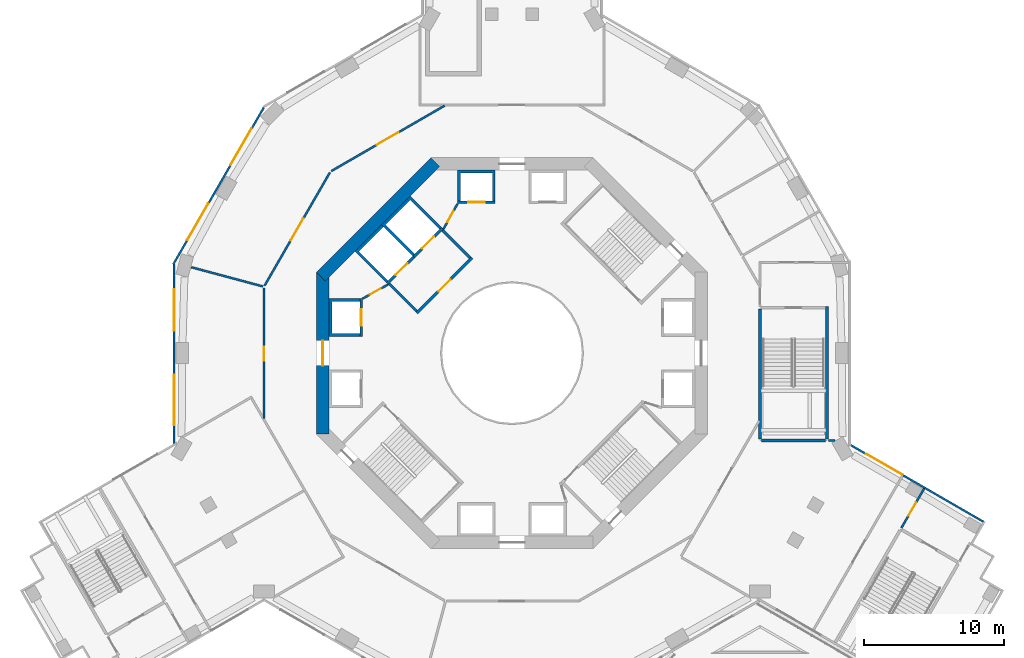
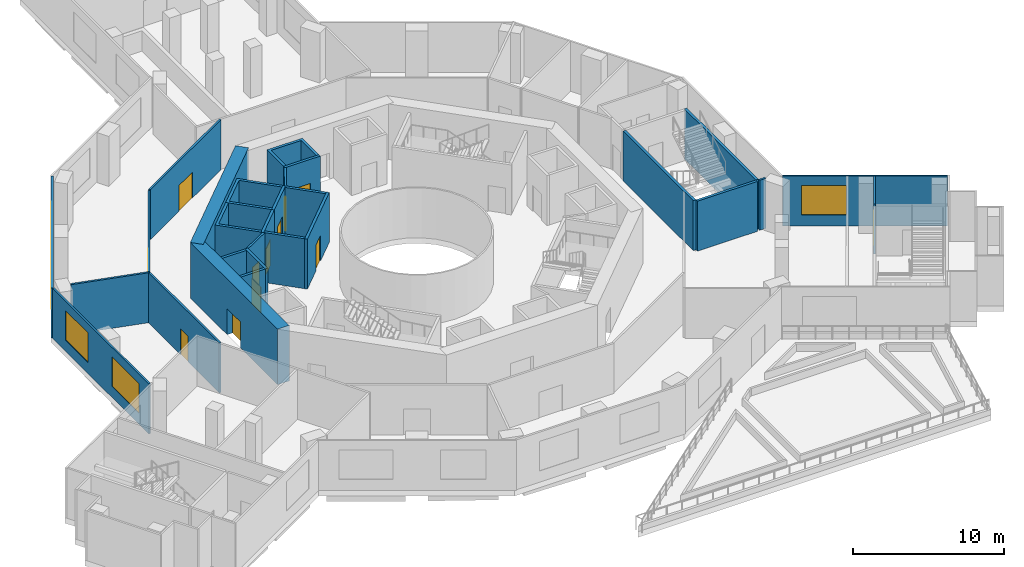
# One storey, part 5 of 21: 27 walls, 12 doors, 5 windows, 17 openings.
"""IFC4 building model written with IfcOpenShell, lengths in metres."""

from ifc_helpers import new_model, si_unit, direction, frame, frame_2d, origin, place, context, subcontext, project, spatial, polyline, rectangle, outline, extrude, material, layer, layer_set, type_object, element, fill, save


model = new_model("IFC4")

# Units and contexts
model_context = context("Model", 3, precision=1e-05, world=origin(), true_north=direction((0.0, 1.0)))
body_context = subcontext(model_context, "Body", "Model", "MODEL_VIEW")
ifc_project = project(units=[si_unit("LENGTHUNIT", "METRE"), si_unit("AREAUNIT", "SQUARE_METRE"), si_unit("VOLUMEUNIT", "CUBIC_METRE"), si_unit("PLANEANGLEUNIT", "RADIAN"), si_unit("MASSUNIT", "GRAM", prefix="KILO")], contexts=[model_context])

# Site, building, storey
site_placement = place(None, origin())
site = spatial("IfcSite", under=ifc_project, at=site_placement, CompositionType="ELEMENT")
building_placement = place(site_placement, origin())
building = spatial("IfcBuilding", under=site, at=building_placement, Name="Verdalira Terraces Hotel", CompositionType="ELEMENT")
storey_placement = place(building_placement, frame((0.0, 0.0, 19.0)))
storey = spatial("IfcBuildingStorey", under=building, at=storey_placement, Name="L03", CompositionType="ELEMENT", Elevation=19.0)

# Wall
ifc_material_1 = material(Name="Concrete C50", Category="concrete")
ifc_layer_1 = layer(ifc_material_1, 0.199951171875)
ifc_layer_set_1 = layer_set([ifc_layer_1], Name="Core RC wall 200 C50")
wall_type_1 = type_object("IfcWallType", Name="Core RC wall 200 C50", PredefinedType="SOLIDWALL", material=ifc_layer_set_1)
wall_1_placement = place(storey_placement, origin())
element("IfcWall", 1, at=wall_1_placement, inside=storey, type_object=wall_type_1, Name="L03 shaft wall N2", PredefinedType="SOLIDWALL", context=body_context, shape_type="SweptSolid", body=[
    extrude(outline(polyline([(-3.899902, 10.899902), (-3.899902, 13.100098), (-1.199951, 13.100098), (-1.199951, 10.899902), (-1.399902, 10.899902), (-1.399902, 12.899902), (-3.699951, 12.899902), (-3.699951, 10.899902), (-3.899902, 10.899902)])), origin(), (0.0, 0.0, 1.0), 4.050049),
])

# Wall, opening, door
wall_2_placement = place(storey_placement, frame((-1.199951, 10.800049, 0.0), z_axis=(0.0, 0.0, 1.0), x_axis=(-1.0, 0.0, 0.0)))
wall_2 = element("IfcWall", 2, at=wall_2_placement, inside=storey, type_object=wall_type_1, Name="L03 shaft front wall N2", PredefinedType="SOLIDWALL", context=body_context, shape_type="SweptSolid", body=[
    extrude(rectangle(XDim=2.699951, YDim=0.199951, at=frame_2d((1.350098, 0.0))), origin(), (0.0, 0.0, 1.0), 4.050049),
])
opening_1_placement = place(wall_2_placement, frame((0.75, 0.0, 0.0)))
opening_1 = element("IfcOpeningElement", 3, at=opening_1_placement, cuts=wall_2, Name="Opening LD-L03-804", PredefinedType="OPENING", context=body_context, shape_type="SweptSolid", body=[
    extrude(rectangle(XDim=1.199951, YDim=2.100098, at=frame_2d((0.600098, 1.050049))), frame((0.0, 0.109863, 0.0), z_axis=(0.0, -1.0, 0.0), x_axis=(1.0, 0.0, 0.0)), (0.0, 0.0, 1.0), 0.219971),
])
ifc_material_2 = material(Name="Stainless steel", Category="steel")
door_type_1 = type_object("IfcDoorType", Name="Landing door 1200 x 2100", OperationType="NOTDEFINED", PredefinedType="DOOR", material=ifc_material_2)
door_1_placement = place(opening_1_placement, origin())
door_1 = element("IfcDoor", 4, at=door_1_placement, inside=storey, type_object=door_type_1, Name="Lift landing door LR4 L03", OperationType="DOUBLE_DOOR_SLIDING", OverallHeight=2.10009765625, OverallWidth=1.199951171875, PredefinedType="DOOR", context=body_context, shape_type="SweptSolid", body=[
    extrude(rectangle(XDim=1.199951, YDim=2.100098, at=frame_2d((0.600098, 1.050049))), frame((0.0, 0.024902, 0.0), z_axis=(0.0, -1.0, 0.0), x_axis=(1.0, 0.0, 0.0)), (0.0, 0.0, 1.0), 0.050049),
])
fill(opening_1, door_1)

# Wall
wall_3_placement = place(storey_placement, origin())
element("IfcWall", 5, at=wall_3_placement, inside=storey, type_object=wall_type_1, Name="L03 shaft wall W1", PredefinedType="SOLIDWALL", context=body_context, shape_type="SweptSolid", body=[
    extrude(outline(polyline([(-13.100098, 3.899902), (-10.899902, 3.899902), (-10.899902, 3.699951), (-12.899902, 3.699951), (-12.899902, 1.399902), (-10.899902, 1.399902), (-10.899902, 1.199951), (-13.100098, 1.199951), (-13.100098, 3.899902)])), origin(), (0.0, 0.0, 1.0), 4.050049),
])

# Wall, opening, door
wall_4_placement = place(storey_placement, frame((-10.800049, 1.199951, 0.0), z_axis=(0.0, 0.0, 1.0), x_axis=(0.0, 1.0, 0.0)))
wall_4 = element("IfcWall", 6, at=wall_4_placement, inside=storey, type_object=wall_type_1, Name="L03 shaft front wall W1", PredefinedType="SOLIDWALL", context=body_context, shape_type="SweptSolid", body=[
    extrude(rectangle(XDim=2.699951, YDim=0.199951, at=frame_2d((1.350098, 0.0))), origin(), (0.0, 0.0, 1.0), 4.050049),
])
opening_2_placement = place(wall_4_placement, frame((0.75, 0.0, 0.0)))
opening_2 = element("IfcOpeningElement", 7, at=opening_2_placement, cuts=wall_4, Name="Opening LD-L03-805", PredefinedType="OPENING", context=body_context, shape_type="SweptSolid", body=[
    extrude(rectangle(XDim=1.199951, YDim=2.100098, at=frame_2d((0.600098, 1.050049))), frame((0.0, 0.109863, 0.0), z_axis=(0.0, -1.0, 0.0), x_axis=(1.0, 0.0, 0.0)), (0.0, 0.0, 1.0), 0.219971),
])
door_2_placement = place(opening_2_placement, origin())
door_2 = element("IfcDoor", 8, at=door_2_placement, inside=storey, type_object=door_type_1, Name="Lift landing door LR5 L03", OperationType="DOUBLE_DOOR_SLIDING", OverallHeight=2.10009765625, OverallWidth=1.199951171875, PredefinedType="DOOR", context=body_context, shape_type="SweptSolid", body=[
    extrude(rectangle(XDim=1.199951, YDim=2.100098, at=frame_2d((0.600098, 1.050049))), frame((0.0, 0.024902, 0.0), z_axis=(0.0, -1.0, 0.0), x_axis=(1.0, 0.0, 0.0)), (0.0, 0.0, 1.0), 0.050049),
])
fill(opening_2, door_2)

# Wall
wall_5_placement = place(storey_placement, origin())
element("IfcWall", 9, at=wall_5_placement, inside=storey, type_object=wall_type_1, Name="L03 shaft wall F1", PredefinedType="SOLIDWALL", context=body_context, shape_type="SweptSolid", body=[
    extrude(outline(polyline([(-9.33374, 9.192383), (-7.283203, 11.24292), (-5.055908, 9.015625), (-5.197266, 8.874268), (-7.283203, 10.960205), (-9.051025, 9.192383), (-6.965088, 7.106445), (-7.106445, 6.965088), (-9.33374, 9.192383)])), origin(), (0.0, 0.0, 1.0), 4.050049),
])

# Wall, opening, door
wall_6_placement = place(storey_placement, frame((-4.985107, 8.944824, 0.0), z_axis=(0.0, 0.0, 1.0), x_axis=(-0.707106781, -0.707106781, 0.0)))
wall_6 = element("IfcWall", 10, at=wall_6_placement, inside=storey, type_object=wall_type_1, Name="L03 shaft front wall F1", PredefinedType="SOLIDWALL", context=body_context, shape_type="SweptSolid", body=[
    extrude(rectangle(XDim=2.899902, YDim=0.199951, at=frame_2d((1.449951, 0.0))), origin(), (0.0, 0.0, 1.0), 4.050049),
])
opening_3_placement = place(wall_6_placement, frame((0.850098, 0.0, 0.0)))
opening_3 = element("IfcOpeningElement", 11, at=opening_3_placement, cuts=wall_6, Name="Opening LD-L03-807", PredefinedType="OPENING", context=body_context, shape_type="SweptSolid", body=[
    extrude(rectangle(XDim=1.199951, YDim=2.100098, at=frame_2d((0.600098, 1.050049))), frame((0.0, 0.109863, 0.0), z_axis=(0.0, -1.0, 0.0), x_axis=(1.0, 0.0, 0.0)), (0.0, 0.0, 1.0), 0.219971),
])
door_3_placement = place(opening_3_placement, origin())
door_3 = element("IfcDoor", 12, at=door_3_placement, inside=storey, type_object=door_type_1, Name="Lift landing door LF11 L03", OperationType="DOUBLE_DOOR_SLIDING", OverallHeight=2.10009765625, OverallWidth=1.199951171875, PredefinedType="DOOR", context=body_context, shape_type="SweptSolid", body=[
    extrude(rectangle(XDim=1.199951, YDim=2.100098, at=frame_2d((0.600098, 1.050049))), frame((0.0, 0.024902, 0.0), z_axis=(0.0, -1.0, 0.0), x_axis=(1.0, 0.0, 0.0)), (0.0, 0.0, 1.0), 0.050049),
])
fill(opening_3, door_3)

# Wall
wall_7_placement = place(storey_placement, origin())
element("IfcWall", 13, at=wall_7_placement, inside=storey, type_object=wall_type_1, Name="L03 shaft wall F2", PredefinedType="SOLIDWALL", context=body_context, shape_type="SweptSolid", body=[
    extrude(outline(polyline([(-11.24292, 7.283203), (-9.33374, 9.192383), (-9.192383, 9.051025), (-10.960205, 7.283203), (-8.874268, 5.197266), (-9.015625, 5.055908), (-11.24292, 7.283203)])), origin(), (0.0, 0.0, 1.0), 4.050049),
])

# Wall, opening, door
wall_8_placement = place(storey_placement, frame((-7.035645, 6.894287, 0.0), z_axis=(0.0, 0.0, 1.0), x_axis=(-0.707106781, -0.707106781, 0.0)))
wall_8 = element("IfcWall", 14, at=wall_8_placement, inside=storey, type_object=wall_type_1, Name="L03 shaft front wall F2", PredefinedType="SOLIDWALL", context=body_context, shape_type="SweptSolid", body=[
    extrude(rectangle(XDim=2.699951, YDim=0.199951, at=frame_2d((1.350098, 0.0))), origin(), (0.0, 0.0, 1.0), 4.050049),
])
opening_4_placement = place(wall_8_placement, frame((0.649902, 0.0, 0.0)))
opening_4 = element("IfcOpeningElement", 15, at=opening_4_placement, cuts=wall_8, Name="Opening LD-L03-808", PredefinedType="OPENING", context=body_context, shape_type="SweptSolid", body=[
    extrude(rectangle(XDim=1.199951, YDim=2.100098, at=frame_2d((0.600098, 1.050049))), frame((0.0, 0.109863, 0.0), z_axis=(0.0, -1.0, 0.0), x_axis=(1.0, 0.0, 0.0)), (0.0, 0.0, 1.0), 0.219971),
])
door_4_placement = place(opening_4_placement, origin())
door_4 = element("IfcDoor", 16, at=door_4_placement, inside=storey, type_object=door_type_1, Name="Lift landing door LF12 L03", OperationType="DOUBLE_DOOR_SLIDING", OverallHeight=2.10009765625, OverallWidth=1.199951171875, PredefinedType="DOOR", context=body_context, shape_type="SweptSolid", body=[
    extrude(rectangle(XDim=1.199951, YDim=2.100098, at=frame_2d((0.600098, 1.050049))), frame((0.0, 0.024902, 0.0), z_axis=(0.0, -1.0, 0.0), x_axis=(1.0, 0.0, 0.0)), (0.0, 0.0, 1.0), 0.050049),
])
fill(opening_4, door_4)

wall_9_placement = place(storey_placement, frame((-2.86377, 6.823486, 0.0), z_axis=(0.0, 0.0, 1.0), x_axis=(-0.707106781, -0.707106781, 0.0)))
wall_9 = element("IfcWall", 17, at=wall_9_placement, inside=storey, type_object=wall_type_1, Name="L03 fire lobby wall", PredefinedType="SOLIDWALL", context=body_context, shape_type="SweptSolid", body=[
    extrude(rectangle(XDim=5.599854, YDim=0.199951, at=frame_2d((2.799805, 0.0))), origin(), (0.0, 0.0, 1.0), 4.050049),
])
opening_5_placement = place(wall_9_placement, frame((2.199951, 0.0, 0.0)))
opening_5 = element("IfcOpeningElement", 18, at=opening_5_placement, cuts=wall_9, Name="Opening L03-819", PredefinedType="OPENING", context=body_context, shape_type="SweptSolid", body=[
    extrude(rectangle(XDim=1.199951, YDim=2.100098, at=frame_2d((0.600098, 1.050049))), frame((0.0, 0.109863, 0.0), z_axis=(0.0, -1.0, 0.0), x_axis=(1.0, 0.0, 0.0)), (0.0, 0.0, 1.0), 0.219971),
])
ifc_material_3 = material(Name="Steel fire door", Category="steel")
door_type_2 = type_object("IfcDoorType", Name="Lobby door 1200 x 2100", OperationType="NOTDEFINED", PredefinedType="DOOR", material=ifc_material_3)
door_5_placement = place(opening_5_placement, origin())
door_5 = element("IfcDoor", 19, at=door_5_placement, inside=storey, type_object=door_type_2, Name="Fire lobby door L03", OperationType="SINGLE_SWING_LEFT", OverallHeight=2.10009765625, OverallWidth=1.199951171875, PredefinedType="DOOR", context=body_context, shape_type="SweptSolid", body=[
    extrude(rectangle(XDim=1.199951, YDim=2.100098, at=frame_2d((0.600098, 1.050049))), frame((0.0, 0.024902, 0.0), z_axis=(0.0, -1.0, 0.0), x_axis=(1.0, 0.0, 0.0)), (0.0, 0.0, 1.0), 0.050049),
])
fill(opening_5, door_5)

# Walls
for number, where, z_axis, x_axis, name in (
    (20, (-3.005127, 6.823486, 0.0), (0.0, 0.0, 1.0), (-0.707106781, 0.707106781, 0.0), "L03 fire lobby wall"),
    (21, (-6.823486, 3.005127, 0.0), (0.0, 0.0, 1.0), (-0.707106781, 0.707106781, 0.0), "L03 fire lobby wall"),
):
    element("IfcWall", number, at=place(storey_placement, frame(where, z_axis=z_axis, x_axis=x_axis)), inside=storey, type_object=wall_type_1, Name=name, PredefinedType="SOLIDWALL", context=body_context, shape_type="SweptSolid", body=[
        extrude(rectangle(XDim=2.800049, YDim=0.199951, at=frame_2d((1.399902, 0.0))), origin(), (0.0, 0.0, 1.0), 4.050049),
    ])

# Wall, opening, door
ifc_material_4 = material(Name="Gypsum board partition")
ifc_layer_2 = layer(ifc_material_4, 0.14990234375)
ifc_layer_set_2 = layer_set([ifc_layer_2], Name="Core partition 150 mm")
wall_type_2 = type_object("IfcWallType", Name="Core partition 150 mm", PredefinedType="PARTITIONING", material=ifc_layer_set_2)
wall_10_placement = place(storey_placement, frame((-3.899902, 10.699951, 0.0), z_axis=(0.0, 0.0, 1.0), x_axis=(-0.485692555, -0.874129705, 0.0)))
wall_10 = element("IfcWall", 22, at=wall_10_placement, inside=storey, type_object=wall_type_2, Name="Room partition L03", PredefinedType="PARTITIONING", context=body_context, shape_type="SweptSolid", body=[
    extrude(rectangle(XDim=2.088623, YDim=0.149902, at=frame_2d((1.044434, 0.0))), origin(), (0.0, 0.0, 1.0), 4.050049),
])
opening_6_placement = place(wall_10_placement, frame((0.594238, 0.0, 0.0)))
opening_6 = element("IfcOpeningElement", 23, at=opening_6_placement, cuts=wall_10, Name="Opening L03-820", PredefinedType="OPENING", context=body_context, shape_type="SweptSolid", body=[
    extrude(rectangle(XDim=0.899902, YDim=2.100098, at=frame_2d((0.449951, 1.050049))), frame((0.0, 0.084961, 0.0), z_axis=(0.0, -1.0, 0.0), x_axis=(1.0, 0.0, 0.0)), (0.0, 0.0, 1.0), 0.169922),
])
ifc_material_5 = material(Name="Steel fire door", Category="steel")
door_type_3 = type_object("IfcDoorType", Name="Core room door 900 x 2100", OperationType="NOTDEFINED", PredefinedType="DOOR", material=ifc_material_5)
door_6_placement = place(opening_6_placement, origin())
door_6 = element("IfcDoor", 24, at=door_6_placement, inside=storey, type_object=door_type_3, Name="Door L03 room2", OperationType="SINGLE_SWING_LEFT", OverallHeight=2.10009765625, OverallWidth=0.89990234375, PredefinedType="DOOR", context=body_context, shape_type="SweptSolid", body=[
    extrude(rectangle(XDim=0.899902, YDim=2.100098, at=frame_2d((0.449951, 1.050049))), frame((0.0, 0.024902, 0.0), z_axis=(0.0, -1.0, 0.0), x_axis=(1.0, 0.0, 0.0)), (0.0, 0.0, 1.0), 0.050049),
])
fill(opening_6, door_6)

wall_11_placement = place(storey_placement, frame((-8.874268, 4.914307, 0.0), z_axis=(0.0, 0.0, 1.0), x_axis=(-0.874129705, -0.485692555, 0.0)))
wall_11 = element("IfcWall", 25, at=wall_11_placement, inside=storey, type_object=wall_type_2, Name="Room partition L03", PredefinedType="PARTITIONING", context=body_context, shape_type="SweptSolid", body=[
    extrude(rectangle(XDim=2.088623, YDim=0.149902, at=frame_2d((1.044434, 0.0))), origin(), (0.0, 0.0, 1.0), 4.050049),
])
opening_7_placement = place(wall_11_placement, frame((0.594238, 0.0, 0.0)))
opening_7 = element("IfcOpeningElement", 26, at=opening_7_placement, cuts=wall_11, Name="Opening L03-821", PredefinedType="OPENING", context=body_context, shape_type="SweptSolid", body=[
    extrude(rectangle(XDim=0.899902, YDim=2.100098, at=frame_2d((0.449951, 1.050049))), frame((0.0, 0.084961, 0.0), z_axis=(0.0, -1.0, 0.0), x_axis=(1.0, 0.0, 0.0)), (0.0, 0.0, 1.0), 0.169922),
])
door_7_placement = place(opening_7_placement, origin())
door_7 = element("IfcDoor", 27, at=door_7_placement, inside=storey, type_object=door_type_3, Name="Door L03 room3", OperationType="SINGLE_SWING_LEFT", OverallHeight=2.10009765625, OverallWidth=0.89990234375, PredefinedType="DOOR", context=body_context, shape_type="SweptSolid", body=[
    extrude(rectangle(XDim=0.899902, YDim=2.100098, at=frame_2d((0.449951, 1.050049))), frame((0.0, 0.024902, 0.0), z_axis=(0.0, -1.0, 0.0), x_axis=(1.0, 0.0, 0.0)), (0.0, 0.0, 1.0), 0.050049),
])
fill(opening_7, door_7)

# Wall
ifc_material_6 = material(Name="Concrete C70", Category="concrete")
ifc_layer_3 = layer(ifc_material_6, 0.89990234375)
ifc_layer_set_3 = layer_set([ifc_layer_3], Name="Core wall 900 C70")
wall_type_3 = type_object("IfcWallType", Name="Core wall 900 C70", PredefinedType="SHEAR", material=ifc_layer_set_3)
wall_12_placement = place(storey_placement, frame((-5.480713, 13.681885, 0.0), z_axis=(0.0, 0.0, 1.0), x_axis=(-0.707106781, -0.707106781, 0.0)))
element("IfcWall", 28, at=wall_12_placement, inside=storey, type_object=wall_type_3, Name="Core wall CW-L03-4", PredefinedType="SHEAR", context=body_context, shape_type="SweptSolid", body=[
    extrude(rectangle(XDim=11.598145, YDim=0.899902, at=frame_2d((5.799072, 0.0))), origin(), (0.0, 0.0, 1.0), 4.5),
])

# Wall, opening, door
wall_13_placement = place(storey_placement, frame((-13.550049, 5.799072, 0.0), z_axis=(0.0, 0.0, 1.0), x_axis=(0.0, -1.0, 0.0)))
wall_13 = element("IfcWall", 29, at=wall_13_placement, inside=storey, type_object=wall_type_3, Name="Core wall CW-L03-5", PredefinedType="SHEAR", context=body_context, shape_type="SweptSolid", body=[
    extrude(rectangle(XDim=11.598145, YDim=0.899902, at=frame_2d((5.799072, 0.0))), origin(), (0.0, 0.0, 1.0), 4.5),
])
opening_8_placement = place(wall_13_placement, frame((4.898926, 0.0, 0.0)))
opening_8 = element("IfcOpeningElement", 30, at=opening_8_placement, cuts=wall_13, Name="Opening L03-814", PredefinedType="OPENING", context=body_context, shape_type="SweptSolid", body=[
    extrude(rectangle(XDim=1.800049, YDim=2.100098, at=frame_2d((0.899902, 1.050049))), frame((0.0, 0.459961, 0.0), z_axis=(0.0, -1.0, 0.0), x_axis=(1.0, 0.0, 0.0)), (0.0, 0.0, 1.0), 0.919922),
])
ifc_material_7 = material(Name="Steel fire door", Category="steel")
door_type_4 = type_object("IfcDoorType", Name="Core entry door pair 1800 x 2100", OperationType="NOTDEFINED", PredefinedType="DOOR", material=ifc_material_7)
door_8_placement = place(opening_8_placement, origin())
door_8 = element("IfcDoor", 31, at=door_8_placement, inside=storey, type_object=door_type_4, Name="Core entry door L03 4", OperationType="DOUBLE_DOOR_SINGLE_SWING", OverallHeight=2.10009765625, OverallWidth=1.800048828125, PredefinedType="DOOR", context=body_context, shape_type="SweptSolid", body=[
    extrude(rectangle(XDim=1.800049, YDim=2.100098, at=frame_2d((0.899902, 1.050049))), frame((0.0, 0.024902, 0.0), z_axis=(0.0, -1.0, 0.0), x_axis=(1.0, 0.0, 0.0)), (0.0, 0.0, 1.0), 0.050049),
])
fill(opening_8, door_8)

# Wall
ifc_material_8 = material(Name="Gypsum board partition on steel stud", Category="steel")
ifc_layer_4 = layer(ifc_material_8, 0.14990234375)
ifc_layer_set_4 = layer_set([ifc_layer_4], Name="Fire-rated partition 150 mm")
wall_type_4 = type_object("IfcWallType", Name="Fire-rated partition 150 mm", PredefinedType="PARTITIONING", material=ifc_layer_set_4)
wall_14_placement = place(storey_placement, frame((-22.9646, 6.15332, 0.0), z_axis=(0.0, 0.0, 1.0), x_axis=(0.965919345, -0.258843233, 0.0)))
element("IfcWall", 32, at=wall_14_placement, inside=storey, type_object=wall_type_4, Name="Partition", PredefinedType="PARTITIONING", context=body_context, shape_type="SweptSolid", body=[
    extrude(rectangle(XDim=5.314941, YDim=0.149902, at=frame_2d((2.657471, 0.0))), origin(), (0.0, 0.0, 1.0), 4.050049),
])

# Wall, opening, door
wall_15_placement = place(storey_placement, frame((-17.758301, -4.68335, 0.0), z_axis=(0.0, 0.0, 1.0), x_axis=(0.0, 1.0, 0.0)))
wall_15 = element("IfcWall", 33, at=wall_15_placement, inside=storey, type_object=wall_type_4, Name="Partition", PredefinedType="PARTITIONING", context=body_context, shape_type="SweptSolid", body=[
    extrude(rectangle(XDim=9.366699, YDim=0.149902, at=frame_2d((4.68335, 0.0))), origin(), (0.0, 0.0, 1.0), 4.050049),
])
opening_9_placement = place(wall_15_placement, frame((4.149902, 0.0, 0.0)))
opening_9 = element("IfcOpeningElement", 34, at=opening_9_placement, cuts=wall_15, Name="Opening L03-D06", PredefinedType="OPENING", context=body_context, shape_type="SweptSolid", body=[
    extrude(rectangle(XDim=1.0, YDim=2.100098, at=frame_2d((0.5, 1.050049))), frame((0.0, 0.084961, 0.0), z_axis=(0.0, -1.0, 0.0), x_axis=(1.0, 0.0, 0.0)), (0.0, 0.0, 1.0), 0.169922),
])
ifc_material_9 = material(Name="Steel fire door", Category="steel")
door_type_5 = type_object("IfcDoorType", Name="Fire door 1000 x 2100", OperationType="SINGLE_SWING_LEFT", PredefinedType="DOOR", material=ifc_material_9)
door_9_placement = place(opening_9_placement, origin())
door_9 = element("IfcDoor", 35, at=door_9_placement, inside=storey, type_object=door_type_5, Name="Women's spa changing room door", OperationType="SINGLE_SWING_LEFT", OverallHeight=2.10009765625, OverallWidth=1.0, PredefinedType="DOOR", context=body_context, shape_type="SweptSolid", body=[
    extrude(rectangle(XDim=1.0, YDim=2.100098, at=frame_2d((0.5, 1.050049))), frame((0.0, 0.024902, 0.0), z_axis=(0.0, -1.0, 0.0), x_axis=(1.0, 0.0, 0.0)), (0.0, 0.0, 1.0), 0.050049),
])
fill(opening_9, door_9)

wall_16_placement = place(storey_placement, frame((-13.037598, 12.935059, 0.0), z_axis=(0.0, 0.0, 1.0), x_axis=(-0.499979668, -0.866037142, 0.0)))
wall_16 = element("IfcWall", 36, at=wall_16_placement, inside=storey, type_object=wall_type_4, Name="Partition", PredefinedType="PARTITIONING", context=body_context, shape_type="SweptSolid", body=[
    extrude(rectangle(XDim=9.366699, YDim=0.149902, at=frame_2d((4.68335, 0.0))), origin(), (0.0, 0.0, 1.0), 4.050049),
])
opening_10_placement = place(wall_16_placement, frame((3.81665, 0.0, 0.0)))
opening_10 = element("IfcOpeningElement", 37, at=opening_10_placement, cuts=wall_16, Name="Opening L03-D07", PredefinedType="OPENING", context=body_context, shape_type="SweptSolid", body=[
    extrude(rectangle(XDim=1.800049, YDim=2.100098, at=frame_2d((0.899902, 1.050049))), frame((0.0, 0.084961, 0.0), z_axis=(0.0, -1.0, 0.0), x_axis=(1.0, 0.0, 0.0)), (0.0, 0.0, 1.0), 0.169922),
])
ifc_material_10 = material(Name="Steel fire door", Category="steel")
door_type_6 = type_object("IfcDoorType", Name="Fire door pair 1800 x 2100", OperationType="DOUBLE_DOOR_SINGLE_SWING", PredefinedType="DOOR", material=ifc_material_10)
door_10_placement = place(opening_10_placement, origin())
door_10 = element("IfcDoor", 38, at=door_10_placement, inside=storey, type_object=door_type_6, Name="Ring corridor door", OperationType="DOUBLE_DOOR_SINGLE_SWING", OverallHeight=2.10009765625, OverallWidth=1.800048828125, PredefinedType="DOOR", context=body_context, shape_type="SweptSolid", body=[
    extrude(rectangle(XDim=1.800049, YDim=2.100098, at=frame_2d((0.899902, 1.050049))), frame((0.0, 0.024902, 0.0), z_axis=(0.0, -1.0, 0.0), x_axis=(1.0, 0.0, 0.0)), (0.0, 0.0, 1.0), 0.050049),
])
fill(opening_10, door_10)

wall_17_placement = place(storey_placement, frame((-4.823242, 17.720703, 0.0), z_axis=(0.0, 0.0, 1.0), x_axis=(-0.866037142, -0.499979668, 0.0)))
wall_17 = element("IfcWall", 39, at=wall_17_placement, inside=storey, type_object=wall_type_4, Name="Partition", PredefinedType="PARTITIONING", context=body_context, shape_type="SweptSolid", body=[
    extrude(rectangle(XDim=9.366699, YDim=0.149902, at=frame_2d((4.68335, 0.0))), origin(), (0.0, 0.0, 1.0), 4.050049),
])
opening_11_placement = place(wall_17_placement, frame((3.81665, 0.0, 0.0)))
opening_11 = element("IfcOpeningElement", 40, at=opening_11_placement, cuts=wall_17, Name="Opening L03-D08", PredefinedType="OPENING", context=body_context, shape_type="SweptSolid", body=[
    extrude(rectangle(XDim=1.800049, YDim=2.100098, at=frame_2d((0.899902, 1.050049))), frame((0.0, 0.084961, 0.0), z_axis=(0.0, -1.0, 0.0), x_axis=(1.0, 0.0, 0.0)), (0.0, 0.0, 1.0), 0.169922),
])
door_11_placement = place(opening_11_placement, origin())
door_11 = element("IfcDoor", 41, at=door_11_placement, inside=storey, type_object=door_type_6, Name="Ring corridor door", OperationType="DOUBLE_DOOR_SINGLE_SWING", OverallHeight=2.10009765625, OverallWidth=1.800048828125, PredefinedType="DOOR", context=body_context, shape_type="SweptSolid", body=[
    extrude(rectangle(XDim=1.800049, YDim=2.100098, at=frame_2d((0.899902, 1.050049))), frame((0.0, 0.024902, 0.0), z_axis=(0.0, -1.0, 0.0), x_axis=(1.0, 0.0, 0.0)), (0.0, 0.0, 1.0), 0.050049),
])
fill(opening_11, door_11)

# Wall
wall_18_placement = place(storey_placement, frame((22.658203, -6.25, 0.0), z_axis=(0.0, 0.0, 1.0), x_axis=(1.0, 0.0, 0.0)))
element("IfcWall", 42, at=wall_18_placement, inside=storey, type_object=wall_type_4, Name="Partition", PredefinedType="PARTITIONING", context=body_context, shape_type="SweptSolid", body=[
    extrude(rectangle(XDim=0.473145, YDim=0.149902, at=frame_2d((0.236572, 0.0))), origin(), (0.0, 0.0, 1.0), 4.050049),
])

# Wall, opening, door
wall_19_placement = place(storey_placement, frame((27.877197, -12.515381, 0.0), z_axis=(0.0, 0.0, 1.0), x_axis=(0.499973122, 0.866040921, 0.0)))
wall_19 = element("IfcWall", 43, at=wall_19_placement, inside=storey, type_object=wall_type_4, Name="Partition", PredefinedType="PARTITIONING", context=body_context, shape_type="SweptSolid", body=[
    extrude(rectangle(XDim=3.26001, YDim=0.149902, at=frame_2d((1.629883, 0.0))), origin(), (0.0, 0.0, 1.0), 4.050049),
])
opening_12_placement = place(wall_19_placement, frame((1.010254, 0.0, 0.0)))
opening_12 = element("IfcOpeningElement", 44, at=opening_12_placement, cuts=wall_19, Name="Opening L03-D25", PredefinedType="OPENING", context=body_context, shape_type="SweptSolid", body=[
    extrude(rectangle(XDim=1.100098, YDim=2.100098, at=frame_2d((0.550049, 1.050049))), frame((0.0, 0.084961, 0.0), z_axis=(0.0, -1.0, 0.0), x_axis=(1.0, 0.0, 0.0)), (0.0, 0.0, 1.0), 0.169922),
])
ifc_material_11 = material(Name="Steel fire door", Category="steel")
door_type_7 = type_object("IfcDoorType", Name="Stair door 1100 x 2100", OperationType="SINGLE_SWING_LEFT", PredefinedType="DOOR", material=ifc_material_11)
door_12_placement = place(opening_12_placement, origin())
door_12 = element("IfcDoor", 45, at=door_12_placement, inside=storey, type_object=door_type_7, Name="Stair door Stair approach corridor", OperationType="SINGLE_SWING_RIGHT", OverallHeight=2.10009765625, OverallWidth=1.10009765625, PredefinedType="DOOR", context=body_context, shape_type="SweptSolid", body=[
    extrude(rectangle(XDim=1.100098, YDim=2.100098, at=frame_2d((0.550049, 1.050049))), frame((0.0, 0.024902, 0.0), z_axis=(0.0, -1.0, 0.0), x_axis=(1.0, 0.0, 0.0)), (0.0, 0.0, 1.0), 0.050049),
])
fill(opening_12, door_12)

# Walls
ifc_material_12 = material(Name="Concrete C50", Category="concrete")
ifc_layer_5 = layer(ifc_material_12, 0.199951171875)
ifc_layer_set_5 = layer_set([ifc_layer_5], Name="Stair enclosure wall 200 mm")
wall_type_5 = type_object("IfcWallType", Name="Stair enclosure wall 200 mm", PredefinedType="SOLIDWALL", material=ifc_layer_set_5)
wall_20_placement = place(storey_placement, frame((17.858398, -6.25, 0.0), z_axis=(0.0, 0.0, 1.0), x_axis=(1.0, 0.0, 0.0)))
element("IfcWall", 46, at=wall_20_placement, inside=storey, type_object=wall_type_5, Name="Stair enclosure wall", PredefinedType="SOLIDWALL", context=body_context, shape_type="SweptSolid", body=[
    extrude(rectangle(XDim=4.600098, YDim=0.199951, at=frame_2d((2.300049, 0.0))), origin(), (0.0, 0.0, 1.0), 4.050049),
])
wall_21_placement = place(storey_placement, frame((17.758301, 3.150146, 0.0), z_axis=(0.0, 0.0, 1.0), x_axis=(0.0, -1.0, 0.0)))
element("IfcWall", 47, at=wall_21_placement, inside=storey, type_object=wall_type_5, Name="Stair enclosure wall", PredefinedType="SOLIDWALL", context=body_context, shape_type="SweptSolid", body=[
    extrude(rectangle(XDim=9.300049, YDim=0.199951, at=frame_2d((4.649902, 0.0))), origin(), (0.0, 0.0, 1.0), 4.050049),
])
wall_22_placement = place(storey_placement, frame((22.55835, -6.149902, 0.0), z_axis=(0.0, 0.0, 1.0), x_axis=(0.0, 1.0, 0.0)))
element("IfcWall", 48, at=wall_22_placement, inside=storey, type_object=wall_type_5, Name="Stair enclosure wall", PredefinedType="SOLIDWALL", context=body_context, shape_type="SweptSolid", body=[
    extrude(rectangle(XDim=9.5, YDim=0.199951, at=frame_2d((4.75, 0.0))), origin(), (0.0, 0.0, 1.0), 4.050049),
])

# Wall, openings, windows
ifc_material_13 = material(Name="Terracotta cladding on steel stud backup", Category="masonry")
ifc_layer_6 = layer(ifc_material_13, 0.139892578125)
ifc_layer_set_6 = layer_set([ifc_layer_6], Name="Terracotta clad wall 140 mm")
wall_type_6 = type_object("IfcWallType", Name="Terracotta clad wall 140 mm", PredefinedType="SOLIDWALL", material=ifc_layer_set_6)
wall_23_placement = place(storey_placement, frame((-17.7771, 17.585693, 0.0), z_axis=(0.0, 0.0, 1.0), x_axis=(-0.500006139, -0.866021859, 0.0)))
wall_23 = element("IfcWall", 49, at=wall_23_placement, inside=storey, type_object=wall_type_6, Name="Podium facade wall", PredefinedType="SOLIDWALL", context=body_context, shape_type="SweptSolid", body=[
    extrude(rectangle(XDim=12.962158, YDim=0.139893, at=frame_2d((6.480957, 0.0))), origin(), (0.0, 0.0, 1.0), 4.050049),
])
opening_13_placement = place(wall_23_placement, frame((1.747803, 0.0, 0.899902)))
opening_13 = element("IfcOpeningElement", 50, at=opening_13_placement, cuts=wall_23, Name="Opening WP", PredefinedType="OPENING", context=body_context, shape_type="SweptSolid", body=[
    extrude(rectangle(XDim=3.0, YDim=2.399902, at=frame_2d((1.5, 1.199951))), frame((0.0, 0.079834, 0.0), z_axis=(0.0, -1.0, 0.0), x_axis=(1.0, 0.0, 0.0)), (0.0, 0.0, 1.0), 0.159912),
])
opening_14_placement = place(wall_23_placement, frame((7.93457, 0.0, 0.899902)))
opening_14 = element("IfcOpeningElement", 51, at=opening_14_placement, cuts=wall_23, Name="Opening WP", PredefinedType="OPENING", context=body_context, shape_type="SweptSolid", body=[
    extrude(rectangle(XDim=3.0, YDim=2.399902, at=frame_2d((1.5, 1.199951))), frame((0.0, 0.079834, 0.0), z_axis=(0.0, -1.0, 0.0), x_axis=(1.0, 0.0, 0.0)), (0.0, 0.0, 1.0), 0.159912),
])
ifc_material_14 = material(Name="Clear double glazing in aluminium frame", Category="aluminium")
window_type_1 = type_object("IfcWindowType", Name="Podium window 3000 x 2400", PartitioningType="SINGLE_PANEL", PredefinedType="WINDOW", material=ifc_material_14)
window_1_placement = place(opening_13_placement, origin())
window_1 = element("IfcWindow", 52, at=window_1_placement, inside=storey, type_object=window_type_1, Name="Podium window", OverallHeight=2.39990234375, OverallWidth=3.0, PartitioningType="SINGLE_PANEL", PredefinedType="WINDOW", context=body_context, shape_type="SweptSolid", body=[
    extrude(rectangle(XDim=3.0, YDim=2.399902, at=frame_2d((1.5, 1.199951))), frame((0.0, 0.030029, 0.0), z_axis=(0.0, -1.0, 0.0), x_axis=(1.0, 0.0, 0.0)), (0.0, 0.0, 1.0), 0.060059),
])
fill(opening_13, window_1)
window_2_placement = place(opening_14_placement, origin())
window_2 = element("IfcWindow", 53, at=window_2_placement, inside=storey, type_object=window_type_1, Name="Podium window", OverallHeight=2.39990234375, OverallWidth=3.0, PartitioningType="SINGLE_PANEL", PredefinedType="WINDOW", context=body_context, shape_type="SweptSolid", body=[
    extrude(rectangle(XDim=3.0, YDim=2.399902, at=frame_2d((1.5, 1.199951))), frame((0.0, 0.030029, 0.0), z_axis=(0.0, -1.0, 0.0), x_axis=(1.0, 0.0, 0.0)), (0.0, 0.0, 1.0), 0.060059),
])
fill(opening_14, window_2)

wall_24_placement = place(storey_placement, frame((-24.188232, 6.341309, 0.0), z_axis=(0.0, 0.0, 1.0), x_axis=(0.0, -1.0, 0.0)))
wall_24 = element("IfcWall", 54, at=wall_24_placement, inside=storey, type_object=wall_type_6, Name="Podium facade wall", PredefinedType="SOLIDWALL", context=body_context, shape_type="SweptSolid", body=[
    extrude(rectangle(XDim=12.801025, YDim=0.139893, at=frame_2d((6.400391, 0.0))), origin(), (0.0, 0.0, 1.0), 4.050049),
])
opening_15_placement = place(wall_24_placement, frame((1.747803, 0.0, 0.899902)))
opening_15 = element("IfcOpeningElement", 55, at=opening_15_placement, cuts=wall_24, Name="Opening WP", PredefinedType="OPENING", context=body_context, shape_type="SweptSolid", body=[
    extrude(rectangle(XDim=3.0, YDim=2.399902, at=frame_2d((1.5, 1.199951))), frame((0.0, 0.079834, 0.0), z_axis=(0.0, -1.0, 0.0), x_axis=(1.0, 0.0, 0.0)), (0.0, 0.0, 1.0), 0.159912),
])
opening_16_placement = place(wall_24_placement, frame((7.9021, 0.0, 0.899902)))
opening_16 = element("IfcOpeningElement", 56, at=opening_16_placement, cuts=wall_24, Name="Opening WP", PredefinedType="OPENING", context=body_context, shape_type="SweptSolid", body=[
    extrude(rectangle(XDim=3.600098, YDim=2.399902, at=frame_2d((1.800049, 1.199951))), frame((0.0, 0.079834, 0.0), z_axis=(0.0, -1.0, 0.0), x_axis=(1.0, 0.0, 0.0)), (0.0, 0.0, 1.0), 0.159912),
])
window_3_placement = place(opening_15_placement, origin())
window_3 = element("IfcWindow", 57, at=window_3_placement, inside=storey, type_object=window_type_1, Name="Podium window", OverallHeight=2.39990234375, OverallWidth=3.0, PartitioningType="SINGLE_PANEL", PredefinedType="WINDOW", context=body_context, shape_type="SweptSolid", body=[
    extrude(rectangle(XDim=3.0, YDim=2.399902, at=frame_2d((1.5, 1.199951))), frame((0.0, 0.030029, 0.0), z_axis=(0.0, -1.0, 0.0), x_axis=(1.0, 0.0, 0.0)), (0.0, 0.0, 1.0), 0.060059),
])
fill(opening_15, window_3)
ifc_material_15 = material(Name="Clear double glazing in aluminium frame", Category="aluminium")
window_type_2 = type_object("IfcWindowType", Name="Podium window 3600 x 2400", PartitioningType="SINGLE_PANEL", PredefinedType="WINDOW", material=ifc_material_15)
window_4_placement = place(opening_16_placement, origin())
window_4 = element("IfcWindow", 58, at=window_4_placement, inside=storey, type_object=window_type_2, Name="Podium window", OverallHeight=2.39990234375, OverallWidth=3.60009765625, PartitioningType="SINGLE_PANEL", PredefinedType="WINDOW", context=body_context, shape_type="SweptSolid", body=[
    extrude(rectangle(XDim=3.600098, YDim=2.399902, at=frame_2d((1.800049, 1.199951))), frame((0.0, 0.030029, 0.0), z_axis=(0.0, -1.0, 0.0), x_axis=(1.0, 0.0, 0.0)), (0.0, 0.0, 1.0), 0.060059),
])
fill(opening_16, window_4)

# Wall, opening, window
wall_25_placement = place(storey_placement, frame((33.751221, -12.061523, 0.0), z_axis=(0.0, 0.0, 1.0), x_axis=(-0.86602647, 0.499998154, 0.0)))
wall_25 = element("IfcWall", 59, at=wall_25_placement, inside=storey, type_object=wall_type_6, Name="Podium facade wall", PredefinedType="SOLIDWALL", context=body_context, shape_type="SweptSolid", body=[
    extrude(rectangle(XDim=10.961426, YDim=0.139893, at=frame_2d((5.480713, 0.0))), origin(), (0.0, 0.0, 1.0), 4.050049),
])
opening_17_placement = place(wall_25_placement, frame((6.702148, 0.0, 0.899902)))
opening_17 = element("IfcOpeningElement", 60, at=opening_17_placement, cuts=wall_25, Name="Opening WP", PredefinedType="OPENING", context=body_context, shape_type="SweptSolid", body=[
    extrude(rectangle(XDim=3.0, YDim=2.399902, at=frame_2d((1.5, 1.199951))), frame((0.0, 0.079834, 0.0), z_axis=(0.0, -1.0, 0.0), x_axis=(1.0, 0.0, 0.0)), (0.0, 0.0, 1.0), 0.159912),
])
window_5_placement = place(opening_17_placement, origin())
window_5 = element("IfcWindow", 61, at=window_5_placement, inside=storey, type_object=window_type_1, Name="Podium window", OverallHeight=2.39990234375, OverallWidth=3.0, PartitioningType="SINGLE_PANEL", PredefinedType="WINDOW", context=body_context, shape_type="SweptSolid", body=[
    extrude(rectangle(XDim=3.0, YDim=2.399902, at=frame_2d((1.5, 1.199951))), frame((0.0, 0.030029, 0.0), z_axis=(0.0, -1.0, 0.0), x_axis=(1.0, 0.0, 0.0)), (0.0, 0.0, 1.0), 0.060059),
])
fill(opening_17, window_5)

save(model, "model.ifc")
